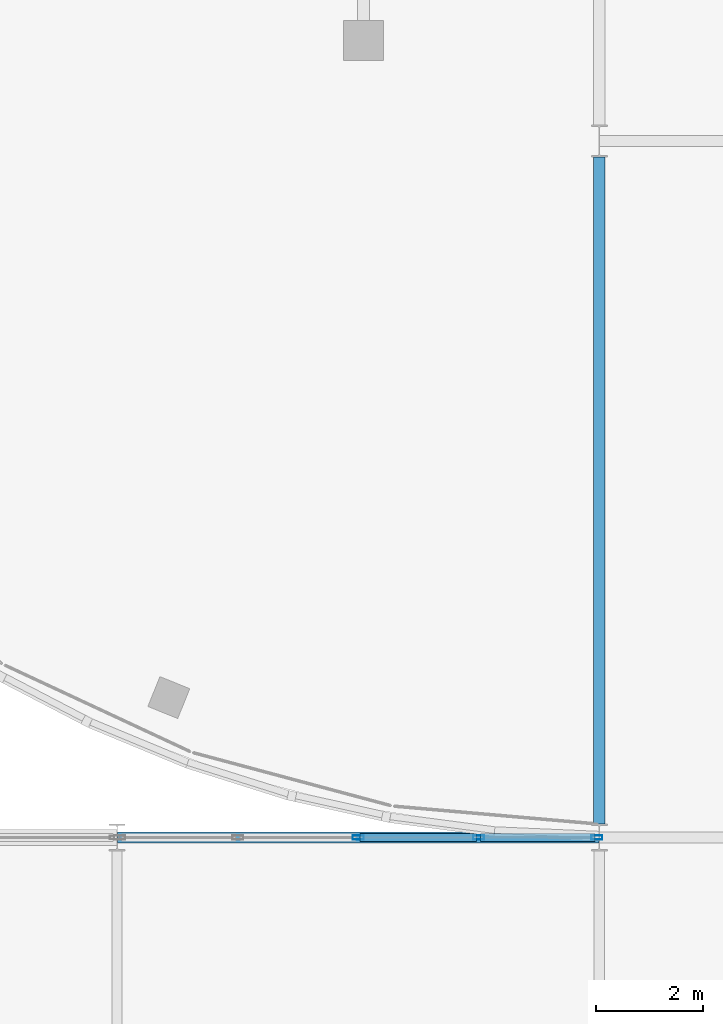
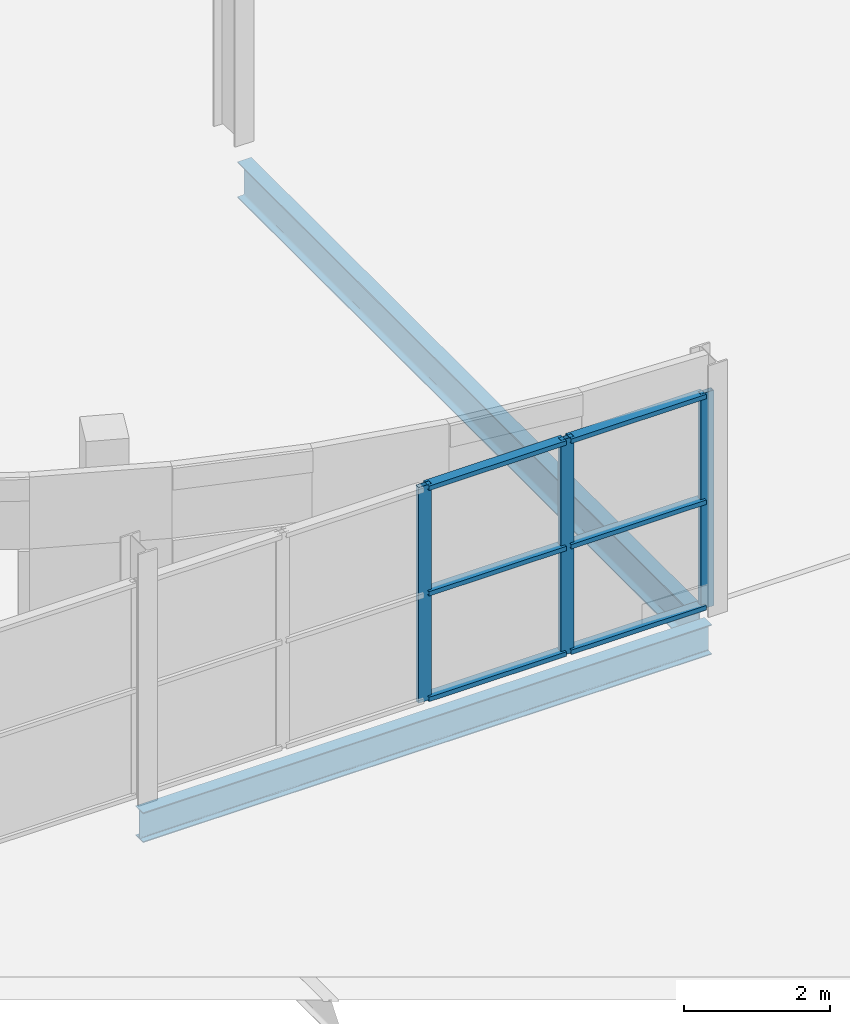
# One storey, part 72 of 132: 9 members, 2 beams, 1 element without a shape of its own.
"""IFC4 building model written with IfcOpenShell, lengths in metres."""

import ifcopenshell
import ifcopenshell.guid

model = None  # the IFC model being written
_history = None  # IfcOwnerHistory: only IFC2X3 demands one
_inside = {}  # id of a spatial element -> (the spatial element, [elements in it])
_under = {}  # id of a project, library or spatial element -> (it, [spatial elements below it])
_declared = {}  # id of a project -> (the project, [libraries it declares])
_typed = {}  # id of a type object -> (the type object, [elements of that type])
_made_of = {}  # id of a material, layer set ... -> (it, [elements and type objects made of it])


def new_model(schema):
    """Start an empty IFC model of exactly this schema.

    Asked for "IFC4X3", IfcOpenShell would pick the latest addendum, in which some entities
    have other attributes; the version numbers below select the first issue.
    IFC2X3 requires an IfcOwnerHistory on every rooted entity: one is made here for all.
    """
    global model, _history
    if schema == "IFC4X3":
        model = ifcopenshell.file(schema_version=(4, 3, 0, 0))
    else:
        model = ifcopenshell.file(schema=schema)
    _inside.clear()
    _under.clear()
    _declared.clear()
    _typed.clear()
    _made_of.clear()
    _history = None
    if model.schema == "IFC2X3":
        org = make("IfcOrganization", Name="unknown")
        user = make(
            "IfcPersonAndOrganization",
            ThePerson=make("IfcPerson", FamilyName="unknown"),
            TheOrganization=org,
        )
        app = make(
            "IfcApplication",
            ApplicationDeveloper=org,
            Version="unknown",
            ApplicationFullName="unknown",
            ApplicationIdentifier="unknown",
        )
        _history = make(
            "IfcOwnerHistory",
            OwningUser=user,
            OwningApplication=app,
            ChangeAction="ADDED",
            CreationDate=0,
        )
    return model


def make(cls, **values):
    """One entity of the class cls with the attributes given. An attribute that is None is left unset."""
    return model.create_entity(
        cls, **{name: value for name, value in values.items() if value is not None}
    )


def rooted(cls, **values):
    """An entity with a GlobalId (a new one), such as an element, a storey or a relation."""
    return make(cls, GlobalId=ifcopenshell.guid.new(), OwnerHistory=_history, **values)


def si_unit(unit_type, name, prefix=None):
    """IfcSIUnit, for example si_unit("LENGTHUNIT", "METRE", prefix="MILLI")."""
    return make("IfcSIUnit", UnitType=unit_type, Prefix=prefix, Name=name)


def assignment(units):
    """IfcUnitAssignment: the units of a project."""
    return None if units is None else make("IfcUnitAssignment", Units=units)


def point(xyz):
    """IfcCartesianPoint."""
    return None if xyz is None else make("IfcCartesianPoint", Coordinates=xyz)


def direction(xyz):
    """IfcDirection."""
    return None if xyz is None else make("IfcDirection", DirectionRatios=xyz)


def frame(location, z_axis=None, x_axis=None):
    """IfcAxis2Placement3D, a coordinate frame: its origin and axes. An axis left out is left unset."""
    return make(
        "IfcAxis2Placement3D",
        Location=point(location),
        Axis=direction(z_axis),
        RefDirection=direction(x_axis),
    )


def frame_2d(location, x_axis=None):
    """IfcAxis2Placement2D, a coordinate frame in the plane: its origin and x axis."""
    return make(
        "IfcAxis2Placement2D", Location=point(location), RefDirection=direction(x_axis)
    )


def origin():
    """The frame at (0, 0, 0) with its axes left unset."""
    return frame((0.0, 0.0, 0.0))


def origin_2d():
    """The frame at (0, 0) in the plane with its x axis left unset."""
    return frame_2d((0.0, 0.0))


def place(relative_to, where):
    """IfcLocalPlacement: puts the frame where relative to a parent placement (None: the world)."""
    return make(
        "IfcLocalPlacement", PlacementRelTo=relative_to, RelativePlacement=where
    )


def context(
    kind, dimensions, precision=None, world=None, true_north=None, identifier=None
):
    """IfcGeometricRepresentationContext, for example the 3D "Model" context."""
    return make(
        "IfcGeometricRepresentationContext",
        ContextIdentifier=identifier,
        ContextType=kind,
        CoordinateSpaceDimension=dimensions,
        Precision=precision,
        WorldCoordinateSystem=world,
        TrueNorth=true_north,
    )


def subcontext(parent, identifier, kind, view, scale=None):
    """IfcGeometricRepresentationSubContext, for example "Body" below "Model"."""
    return make(
        "IfcGeometricRepresentationSubContext",
        ContextIdentifier=identifier,
        ContextType=kind,
        ParentContext=parent,
        TargetScale=scale,
        TargetView=view,
    )


def project(units=None, contexts=None):
    """IfcProject with its units and contexts."""
    return rooted(
        "IfcProject",
        Name="project",
        RepresentationContexts=contexts,
        UnitsInContext=assignment(units),
    )


def spatial(cls, under=None, at=None, **own):
    """A site, building, storey or space (cls), placed at a placement, below another one or the project."""
    s = rooted(cls, ObjectPlacement=at, **own)
    if under is not None:
        _under.setdefault(under.id(), (under, []))[1].append(s)
    return s


def profile(cls, at=None, kind="AREA", **sizes):
    """A parametric profile (cls). Its sizes go by their IFC names, for example OverallWidth=200.0."""
    return make(cls, ProfileType=kind, Position=at, **sizes)


def hollow_rectangle(**sizes):
    """IfcRectangleHollowProfileDef."""
    return profile("IfcRectangleHollowProfileDef", **sizes)


def i_section(**sizes):
    """IfcIShapeProfileDef."""
    return profile("IfcIShapeProfileDef", **sizes)


def extrude(swept, where, along, depth):
    """IfcExtrudedAreaSolid: the profile swept, set in the frame where, extruded along a direction by depth."""
    return make(
        "IfcExtrudedAreaSolid",
        SweptArea=swept,
        Position=where,
        ExtrudedDirection=direction(along),
        Depth=depth,
    )


def shape(context_of_items, identifier, shape_type, items):
    """IfcShapeRepresentation: the items that make up one representation, for example the "Body"."""
    return make(
        "IfcShapeRepresentation",
        ContextOfItems=context_of_items,
        RepresentationIdentifier=identifier,
        RepresentationType=shape_type,
        Items=items,
    )


def material(Name=None, Category=None):
    """IfcMaterial."""
    return make("IfcMaterial", Name=Name, Category=Category)


def layer(
    of_material, thickness, ventilated=None, Name=None, Category=None, Priority=None
):
    """IfcMaterialLayer: one layer of a wall or slab, of a material (None: an air gap)."""
    return make(
        "IfcMaterialLayer",
        Material=of_material,
        LayerThickness=thickness,
        IsVentilated=ventilated,
        Name=Name,
        Category=Category,
        Priority=Priority,
    )


def layer_set(layers, Name=None):
    """IfcMaterialLayerSet."""
    return make("IfcMaterialLayerSet", MaterialLayers=layers, LayerSetName=Name)


def material_profile(
    of_material, cross_section, Name=None, Category=None, Priority=None
):
    """IfcMaterialProfile: a cross section and its material."""
    return make(
        "IfcMaterialProfile",
        Name=Name,
        Material=of_material,
        Profile=cross_section,
        Priority=Priority,
        Category=Category,
    )


def profile_set(profiles, Name=None, composite=None):
    """IfcMaterialProfileSet."""
    return make(
        "IfcMaterialProfileSet",
        Name=Name,
        MaterialProfiles=profiles,
        CompositeProfile=composite,
    )


def made_of(thing, what):
    """Note that an element or type object is made of a material, layer set ...; save() writes the relation."""
    if what is not None:
        _made_of.setdefault(what.id(), (what, []))[1].append(thing)
    return thing


def type_object(cls, material=None, **own):
    """A type object (cls), such as IfcWallType, which elements share."""
    return made_of(rooted(cls, **own), material)


def element(
    cls,
    number,
    at=None,
    inside=None,
    cuts=None,
    type_object=None,
    material=None,
    context=None,
    identifier="Body",
    shape_type=None,
    held_by="IfcProductDefinitionShape",
    body=None,
    shapes=None,
    **own,
):
    """One element of the class cls, such as IfcWall. Its Tag is "e" and its number.

    at: its placement. inside: the storey or other place that contains it. cuts: it is an
    opening in that element (IfcRelVoidsElement). A single representation is given by context,
    identifier, shape_type and body (its items); several are given by shapes. held_by: the class
    of the entity that holds the representations. save() writes the other relations.
    """
    e = rooted(cls, Tag="e%d" % number, ObjectPlacement=at, **own)
    if body is not None:
        shapes = [shape(context, identifier, shape_type, body)]
    if shapes is not None:
        e.Representation = make(held_by, Representations=shapes)
    if inside is not None:
        _inside.setdefault(inside.id(), (inside, []))[1].append(e)
    if cuts is not None:
        rooted(
            "IfcRelVoidsElement", RelatingBuildingElement=cuts, RelatedOpeningElement=e
        )
    if type_object is not None:
        _typed.setdefault(type_object.id(), (type_object, []))[1].append(e)
    return made_of(e, material)


def aggregate(whole, parts):
    """IfcRelAggregates: a whole, such as a stair, and the parts it consists of."""
    return rooted("IfcRelAggregates", RelatingObject=whole, RelatedObjects=parts)


def save(model, path):
    """Write the relations noted so far, then the file.

    IfcRelAggregates (storeys below a building ...), IfcRelContainedInSpatialStructure (elements
    in a storey), IfcRelDefinesByType, IfcRelAssociatesMaterial and IfcRelDeclares: one each for
    every whole, place, type object, material and project.
    """
    for whole, parts in _under.values():
        aggregate(whole, parts)
    for where, things in _inside.values():
        rooted(
            "IfcRelContainedInSpatialStructure",
            RelatedElements=things,
            RelatingStructure=where,
        )
    for kind, things in _typed.values():
        rooted("IfcRelDefinesByType", RelatedObjects=things, RelatingType=kind)
    for what, things in _made_of.values():
        rooted("IfcRelAssociatesMaterial", RelatedObjects=things, RelatingMaterial=what)
    for by, libraries in _declared.values():
        rooted("IfcRelDeclares", RelatingContext=by, RelatedDefinitions=libraries)
    model.write(path)


model = new_model("IFC4")

# Units and contexts
model_context = context("Model", 3, precision=1e-05, world=origin(), true_north=direction((0.0, 1.0)))
body_context = subcontext(model_context, "Body", "Model", "MODEL_VIEW")
ifc_project = project(units=[si_unit("LENGTHUNIT", "METRE"), si_unit("AREAUNIT", "SQUARE_METRE"), si_unit("VOLUMEUNIT", "CUBIC_METRE"), si_unit("PLANEANGLEUNIT", "RADIAN"), si_unit("MASSUNIT", "GRAM", prefix="KILO")], contexts=[model_context])

# Site, building, storey
site_placement = place(None, origin())
site = spatial("IfcSite", under=ifc_project, at=site_placement, CompositionType="ELEMENT")
building_placement = place(site_placement, origin())
building = spatial("IfcBuilding", under=site, at=building_placement, Name="Deido Ridge Mobility Hub", CompositionType="ELEMENT")
storey_placement = place(building_placement, frame((0.0, 0.0, 8.39990234375)))
storey = spatial("IfcBuildingStorey", under=building, at=storey_placement, Name="L02", CompositionType="ELEMENT", Elevation=8.39990234375)

# Beams
ifc_material_1 = material(Name="Steel S355J2 EN 10025-2", Category="steel")
ifc_material_profile_1 = material_profile(ifc_material_1, i_section(OverallWidth=0.199951171875, OverallDepth=0.5, WebThickness=0.01025390625, FlangeThickness=0.01611328125, FilletRadius=0.02099609375, at=origin_2d()), Name="IPE 500")
ifc_profile_set_1 = profile_set([ifc_material_profile_1], Name="Steel S355J2 EN 10025-2")
beam_type_1 = type_object("IfcBeamType", Name="BM-IPE500", PredefinedType="BEAM", material=ifc_profile_set_1)
beam_1_placement = place(storey_placement, frame((36.007080078125, 81.0, -0.5048828125), z_axis=(1.0, 0.0, 0.0), x_axis=(0.0, 1.0, 0.0)))
element("IfcBeam", 1, at=beam_1_placement, inside=storey, type_object=beam_type_1, Name="Floor beam B3", PredefinedType="BEAM", context=body_context, shape_type="SweptSolid", body=[
    extrude(i_section(OverallWidth=0.199951171875, OverallDepth=0.5, WebThickness=0.01025390625, FlangeThickness=0.01611328125, FilletRadius=0.02099609375, at=origin_2d()), origin(), (0.0, 0.0, 1.0), 8.98583984375),
])
ifc_material_profile_2 = material_profile(ifc_material_1, i_section(OverallWidth=0.219970703125, OverallDepth=0.60009765625, WebThickness=0.011962890625, FlangeThickness=0.01904296875, FilletRadius=0.02392578125, at=origin_2d()), Name="IPE 600")
ifc_profile_set_2 = profile_set([ifc_material_profile_2], Name="Steel S355J2 EN 10025-2")
beam_type_2 = type_object("IfcBeamType", Name="BM-IPE600", PredefinedType="BEAM", material=ifc_profile_set_2)
beam_2_placement = place(storey_placement, frame((45.0, 81.25, -0.554931640625), z_axis=(0.0, 1.0, 0.0), x_axis=(-1.0, 0.0, 0.0)))
element("IfcBeam", 2, at=beam_2_placement, inside=storey, type_object=beam_type_2, Name="Floor beam B1", PredefinedType="BEAM", context=body_context, shape_type="SweptSolid", body=[
    extrude(i_section(OverallWidth=0.219970703125, OverallDepth=0.60009765625, WebThickness=0.011962890625, FlangeThickness=0.01904296875, FilletRadius=0.02392578125, at=origin_2d()), origin(), (0.0, 0.0, 1.0), 12.449951171875),
])

# Curtain wall, members
ifc_material_2 = material(Name="Anodised aluminium EN AW-6063 T6", Category="aluminium")
ifc_layer = layer(ifc_material_2, 0.132080078125, Name="Anodised aluminium EN AW-6063 T6")
ifc_layer_set = layer_set([ifc_layer], Name="Anodised aluminium EN AW-6063 T6")
curtain_wall_type = type_object("IfcCurtainWallType", Name="CW-GS-1", PredefinedType="USERDEFINED", material=ifc_layer_set)
curtain_wall_placement = place(storey_placement, origin())
curtain_wall = element("IfcCurtainWall", 3, at=curtain_wall_placement, inside=storey, type_object=curtain_wall_type, Name="Unitised curtain wall GS1", ObjectType="GLAZED SCREEN", PredefinedType="USERDEFINED")
ifc_material_profile_3 = material_profile(ifc_material_2, hollow_rectangle(XDim=0.074951171875, YDim=0.205078125, WallThickness=0.00390625, at=origin_2d()), Name="RHS 75x205x4")
ifc_profile_set_3 = profile_set([ifc_material_profile_3], Name="Anodised aluminium EN AW-6063 T6")
member_type_1 = type_object("IfcMemberType", Name="MEM-MUL-75X205", PredefinedType="MULLION", material=ifc_profile_set_3)
member_1_placement = place(storey_placement, frame((40.5, 81.0, 0.0), z_axis=(0.0, 0.0, 1.0), x_axis=(0.0, 1.0, 0.0)))
member_1 = element("IfcMember", 4, at=member_1_placement, type_object=member_type_1, Name="GS1 mullion 3", PredefinedType="MULLION", context=body_context, shape_type="SweptSolid", body=[
    extrude(hollow_rectangle(XDim=0.074951171875, YDim=0.205078125, WallThickness=0.00390625, at=origin_2d()), origin(), (0.0, 0.0, 1.0), 3.60009765625),
])
member_2_placement = place(storey_placement, frame((42.746337890625, 81.0, 0.0), z_axis=(0.0, 0.0, 1.0), x_axis=(0.0, 1.0, 0.0)))
member_2 = element("IfcMember", 5, at=member_2_placement, type_object=member_type_1, Name="GS1 mullion 4", PredefinedType="MULLION", context=body_context, shape_type="SweptSolid", body=[
    extrude(hollow_rectangle(XDim=0.074951171875, YDim=0.205078125, WallThickness=0.00390625, at=origin_2d()), origin(), (0.0, 0.0, 1.0), 3.60009765625),
])
member_3_placement = place(storey_placement, frame((44.955322265625, 81.0, 0.0), z_axis=(0.0, 0.0, 1.0), x_axis=(0.0, 1.0, 0.0)))
member_3 = element("IfcMember", 6, at=member_3_placement, type_object=member_type_1, Name="GS1 mullion 5", PredefinedType="MULLION", context=body_context, shape_type="SweptSolid", body=[
    extrude(hollow_rectangle(XDim=0.074951171875, YDim=0.205078125, WallThickness=0.00390625, at=origin_2d()), origin(), (0.0, 0.0, 1.0), 3.60009765625),
])
ifc_material_profile_4 = material_profile(ifc_material_2, hollow_rectangle(XDim=0.155029296875, YDim=0.074951171875, WallThickness=0.00390625, at=origin_2d()), Name="RHS 155x75x4")
ifc_profile_set_4 = profile_set([ifc_material_profile_4], Name="Anodised aluminium EN AW-6063 T6")
member_type_2 = type_object("IfcMemberType", Name="MEM-TRN-155X75", PredefinedType="USERDEFINED", material=ifc_profile_set_4)
member_4_placement = place(storey_placement, frame((40.53759765625, 81.0, 0.03759765625), z_axis=(1.0, 0.0, 0.0), x_axis=(0.0, 1.0, 0.0)))
member_4 = element("IfcMember", 7, at=member_4_placement, type_object=member_type_2, Name="GS1 transom 3.1", ObjectType="TRANSOM", PredefinedType="USERDEFINED", context=body_context, shape_type="SweptSolid", body=[
    extrude(hollow_rectangle(XDim=0.155029296875, YDim=0.074951171875, WallThickness=0.00390625, at=origin_2d()), origin(), (0.0, 0.0, 1.0), 2.17138671875),
])
member_5_placement = place(storey_placement, frame((40.53759765625, 81.0, 1.800048828125), z_axis=(1.0, 0.0, 0.0), x_axis=(0.0, 1.0, 0.0)))
member_5 = element("IfcMember", 8, at=member_5_placement, type_object=member_type_2, Name="GS1 transom 3.2", ObjectType="TRANSOM", PredefinedType="USERDEFINED", context=body_context, shape_type="SweptSolid", body=[
    extrude(hollow_rectangle(XDim=0.155029296875, YDim=0.074951171875, WallThickness=0.00390625, at=origin_2d()), origin(), (0.0, 0.0, 1.0), 2.17138671875),
])
member_6_placement = place(storey_placement, frame((40.53759765625, 81.0, 3.5625), z_axis=(1.0, 0.0, 0.0), x_axis=(0.0, 1.0, 0.0)))
member_6 = element("IfcMember", 9, at=member_6_placement, type_object=member_type_2, Name="GS1 transom 3.3", ObjectType="TRANSOM", PredefinedType="USERDEFINED", context=body_context, shape_type="SweptSolid", body=[
    extrude(hollow_rectangle(XDim=0.155029296875, YDim=0.074951171875, WallThickness=0.00390625, at=origin_2d()), origin(), (0.0, 0.0, 1.0), 2.17138671875),
])
member_7_placement = place(storey_placement, frame((42.783935546875, 81.0, 0.03759765625), z_axis=(1.0, 0.0, 0.0), x_axis=(0.0, 1.0, 0.0)))
member_7 = element("IfcMember", 10, at=member_7_placement, type_object=member_type_2, Name="GS1 transom 4.1", ObjectType="TRANSOM", PredefinedType="USERDEFINED", context=body_context, shape_type="SweptSolid", body=[
    extrude(hollow_rectangle(XDim=0.155029296875, YDim=0.074951171875, WallThickness=0.00390625, at=origin_2d()), origin(), (0.0, 0.0, 1.0), 2.1337890625),
])
member_8_placement = place(storey_placement, frame((42.783935546875, 81.0, 1.800048828125), z_axis=(1.0, 0.0, 0.0), x_axis=(0.0, 1.0, 0.0)))
member_8 = element("IfcMember", 11, at=member_8_placement, type_object=member_type_2, Name="GS1 transom 4.2", ObjectType="TRANSOM", PredefinedType="USERDEFINED", context=body_context, shape_type="SweptSolid", body=[
    extrude(hollow_rectangle(XDim=0.155029296875, YDim=0.074951171875, WallThickness=0.00390625, at=origin_2d()), origin(), (0.0, 0.0, 1.0), 2.1337890625),
])
member_9_placement = place(storey_placement, frame((42.783935546875, 81.0, 3.5625), z_axis=(1.0, 0.0, 0.0), x_axis=(0.0, 1.0, 0.0)))
member_9 = element("IfcMember", 12, at=member_9_placement, type_object=member_type_2, Name="GS1 transom 4.3", ObjectType="TRANSOM", PredefinedType="USERDEFINED", context=body_context, shape_type="SweptSolid", body=[
    extrude(hollow_rectangle(XDim=0.155029296875, YDim=0.074951171875, WallThickness=0.00390625, at=origin_2d()), origin(), (0.0, 0.0, 1.0), 2.1337890625),
])
aggregate(curtain_wall, [member_1, member_2, member_3, member_4, member_5, member_6, member_7, member_8, member_9])

save(model, "model.ifc")
